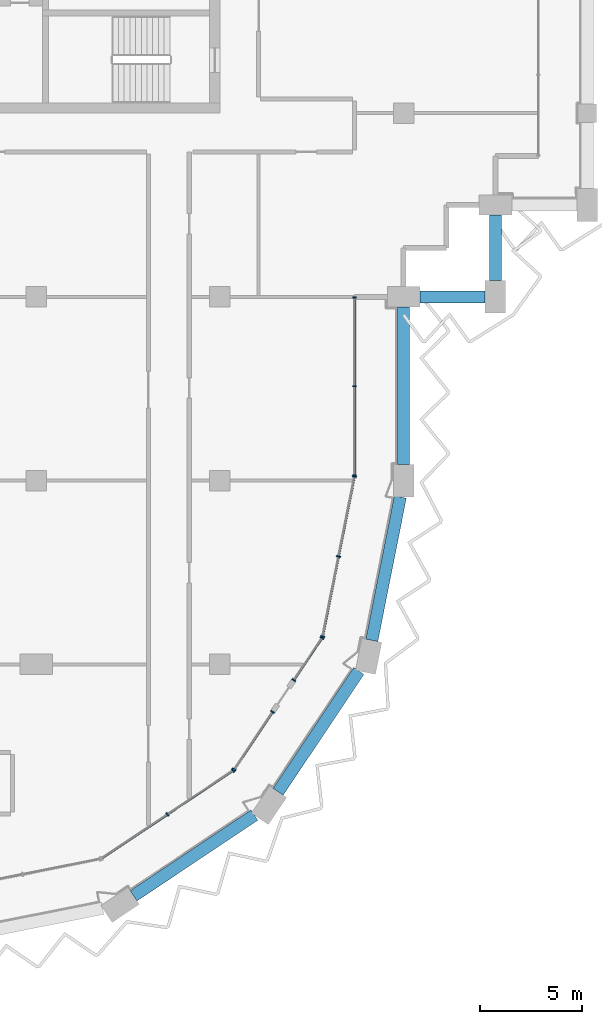
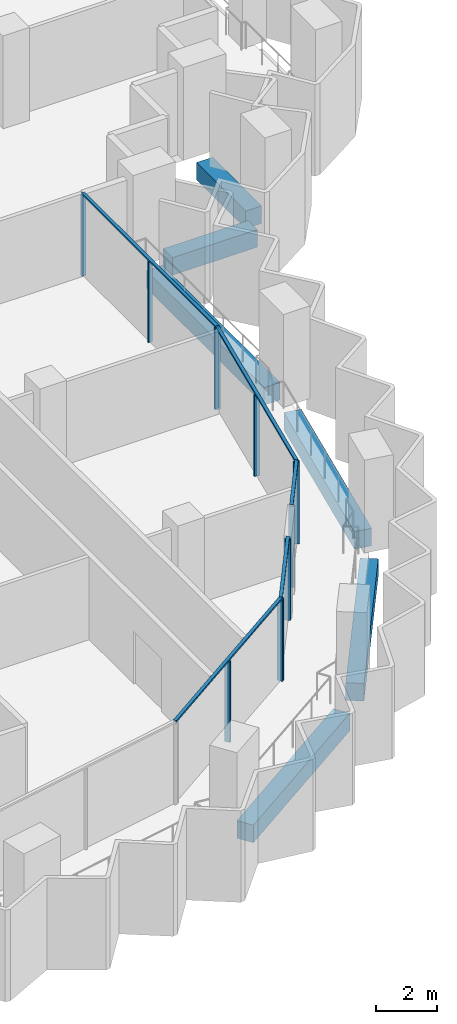
# One storey, part 4 of 17: 17 members, 6 beams, 5 elements without a shape of their own.
"""IFC4 building model written with IfcOpenShell, lengths in metres."""

from ifc_helpers import new_model, si_unit, direction, frame, origin, origin_2d, place, context, subcontext, project, spatial, rectangle, extrude, material, material_profile, profile_set, type_object, element, aggregate, save


model = new_model("IFC4")

# Units and contexts
model_context = context("Model", 3, precision=1e-05, world=origin(), true_north=direction((0.0, 1.0)))
body_context = subcontext(model_context, "Body", "Model", "MODEL_VIEW")
ifc_project = project(units=[si_unit("LENGTHUNIT", "METRE"), si_unit("AREAUNIT", "SQUARE_METRE"), si_unit("VOLUMEUNIT", "CUBIC_METRE"), si_unit("PLANEANGLEUNIT", "RADIAN"), si_unit("MASSUNIT", "GRAM", prefix="KILO")], contexts=[model_context])

# Site, building, storey
site_placement = place(None, origin())
site = spatial("IfcSite", under=ifc_project, at=site_placement, CompositionType="ELEMENT")
building_placement = place(site_placement, origin())
building = spatial("IfcBuilding", under=site, at=building_placement, Name="Hunhe Ridgeline Campus", CompositionType="ELEMENT")
storey_placement = place(building_placement, frame((0.0, 0.0, 268.800048828125)))
storey = spatial("IfcBuildingStorey", under=building, at=storey_placement, Name="L69", CompositionType="ELEMENT", Elevation=268.800048828125)

# Curtain wall, members
ifc_material_1 = material(Name="Aluminium 6063", Category="aluminium")
curtain_wall_type_1 = type_object("IfcCurtainWallType", Name="Curtain wall CW-1", PredefinedType="NOTDEFINED", material=ifc_material_1)
curtain_wall_1_placement = place(storey_placement, origin())
curtain_wall_1 = element("IfcCurtainWall", 1, at=curtain_wall_1_placement, inside=storey, type_object=curtain_wall_type_1, Name="Curtain wall 11", PredefinedType="NOTDEFINED")
ifc_material_profile_1 = material_profile(ifc_material_1, rectangle(XDim=0.159912109375, YDim=0.06005859375, at=origin_2d()))
ifc_profile_set_1 = profile_set([ifc_material_profile_1], Name="Aluminium 6063")
member_type_1 = type_object("IfcMemberType", Name="CW-1 aluminium mullion", PredefinedType="MULLION", material=ifc_profile_set_1)
member_1_placement = place(storey_placement, frame((42.59912109375, 45.266357421875, 0.0), z_axis=(0.0, 0.0, 1.0), x_axis=(-0.999999999814, 1.9283253e-05, 0.0)))
member_1 = element("IfcMember", 2, at=member_1_placement, type_object=member_type_1, Name="CW-1 mullion 1", PredefinedType="MULLION", context=body_context, shape_type="SweptSolid", body=[
    extrude(rectangle(XDim=0.159912109375, YDim=0.06005859375, at=origin_2d()), origin(), (0.0, 0.0, 1.0), 3.239990234375),
])
member_2_placement = place(storey_placement, frame((42.59912109375, 49.618408203125, 0.0), z_axis=(0.0, 0.0, 1.0), x_axis=(-0.999999999814, 1.9283253e-05, 0.0)))
member_2 = element("IfcMember", 3, at=member_2_placement, type_object=member_type_1, Name="CW-1 mullion 2", PredefinedType="MULLION", context=body_context, shape_type="SweptSolid", body=[
    extrude(rectangle(XDim=0.159912109375, YDim=0.06005859375, at=origin_2d()), origin(), (0.0, 0.0, 1.0), 3.239990234375),
])
member_3_placement = place(storey_placement, frame((42.59912109375, 53.970458984375, 0.0), z_axis=(0.0, 0.0, 1.0), x_axis=(-0.999999999814, 1.9283253e-05, 0.0)))
member_3 = element("IfcMember", 4, at=member_3_placement, type_object=member_type_1, Name="CW-1 mullion 3", PredefinedType="MULLION", context=body_context, shape_type="SweptSolid", body=[
    extrude(rectangle(XDim=0.159912109375, YDim=0.06005859375, at=origin_2d()), origin(), (0.0, 0.0, 1.0), 3.239990234375),
])
ifc_material_profile_2 = material_profile(ifc_material_1, rectangle(XDim=0.1201171875, YDim=0.06005859375, at=origin_2d()))
ifc_profile_set_2 = profile_set([ifc_material_profile_2], Name="Aluminium 6063")
member_type_2 = type_object("IfcMemberType", Name="CW-1 aluminium transom", PredefinedType="USERDEFINED", material=ifc_profile_set_2)
member_4_placement = place(storey_placement, frame((42.59912109375, 45.236572265625, 3.27001953125), z_axis=(0.0, 1.0, 0.0), x_axis=(-1.0, 0.0, 0.0)))
member_4 = element("IfcMember", 5, at=member_4_placement, type_object=member_type_2, Name="CW-1 transom 1", ObjectType="TRANSOM", PredefinedType="USERDEFINED", context=body_context, shape_type="SweptSolid", body=[
    extrude(rectangle(XDim=0.1201171875, YDim=0.06005859375, at=origin_2d()), origin(), (0.0, 0.0, 1.0), 8.763916015625),
])
aggregate(curtain_wall_1, [member_4, member_1, member_2, member_3])

curtain_wall_type_2 = type_object("IfcCurtainWallType", Name="Curtain wall CW-5", PredefinedType="NOTDEFINED", material=ifc_material_1)
curtain_wall_2_placement = place(storey_placement, origin())
curtain_wall_2 = element("IfcCurtainWall", 6, at=curtain_wall_2_placement, inside=storey, type_object=curtain_wall_type_2, Name="Curtain wall 07", PredefinedType="NOTDEFINED")
ifc_material_profile_3 = material_profile(ifc_material_1, rectangle(XDim=0.199951171875, YDim=0.070068359375, at=origin_2d()))
ifc_profile_set_3 = profile_set([ifc_material_profile_3], Name="Aluminium 6063")
member_type_3 = type_object("IfcMemberType", Name="CW-5 aluminium mullion", PredefinedType="MULLION", material=ifc_profile_set_3)
member_5_placement = place(storey_placement, frame((33.42626953125, 28.647705078125, 0.0), z_axis=(0.0, 0.0, 1.0), x_axis=(-0.555570274596, 0.831469584522, 0.0)))
member_5 = element("IfcMember", 7, at=member_5_placement, type_object=member_type_3, Name="CW-5 mullion 2", PredefinedType="MULLION", context=body_context, shape_type="SweptSolid", body=[
    extrude(rectangle(XDim=0.199951171875, YDim=0.070068359375, at=origin_2d()), origin(), (0.0, 0.0, 1.0), 3.22998046875),
])
member_6_placement = place(storey_placement, frame((36.649658203125, 30.8017578125, 0.0), z_axis=(0.0, 0.0, 1.0), x_axis=(-0.555570274596, 0.831469584522, 0.0)))
member_6 = element("IfcMember", 8, at=member_6_placement, type_object=member_type_3, Name="CW-5 mullion 3", PredefinedType="MULLION", context=body_context, shape_type="SweptSolid", body=[
    extrude(rectangle(XDim=0.199951171875, YDim=0.070068359375, at=origin_2d()), origin(), (0.0, 0.0, 1.0), 3.22998046875),
])

curtain_wall_3_placement = place(storey_placement, origin())
curtain_wall_3 = element("IfcCurtainWall", 9, at=curtain_wall_3_placement, inside=storey, type_object=curtain_wall_type_2, Name="Curtain wall 08", PredefinedType="NOTDEFINED")
member_7_placement = place(storey_placement, frame((36.6982421875, 30.850341796875, 0.0), z_axis=(0.0, 0.0, 1.0), x_axis=(-0.831469595944, 0.555570257501, 0.0)))
member_7 = element("IfcMember", 10, at=member_7_placement, type_object=member_type_3, Name="CW-5 mullion 1", PredefinedType="MULLION", context=body_context, shape_type="SweptSolid", body=[
    extrude(rectangle(XDim=0.199951171875, YDim=0.070068359375, at=origin_2d()), origin(), (0.0, 0.0, 1.0), 3.22998046875),
])
member_8_placement = place(storey_placement, frame((38.582763671875, 33.67041015625, 0.0), z_axis=(0.0, 0.0, 1.0), x_axis=(-0.831469595944, 0.555570257501, 0.0)))
member_8 = element("IfcMember", 11, at=member_8_placement, type_object=member_type_3, Name="CW-5 mullion 2", PredefinedType="MULLION", context=body_context, shape_type="SweptSolid", body=[
    extrude(rectangle(XDim=0.199951171875, YDim=0.070068359375, at=origin_2d()), origin(), (0.0, 0.0, 1.0), 3.22998046875),
])

curtain_wall_4_placement = place(storey_placement, origin())
curtain_wall_4 = element("IfcCurtainWall", 12, at=curtain_wall_4_placement, inside=storey, type_object=curtain_wall_type_2, Name="Curtain wall 09", PredefinedType="NOTDEFINED")
member_9_placement = place(storey_placement, frame((39.62158203125, 35.225341796875, 0.0), z_axis=(0.0, 0.0, 1.0), x_axis=(-0.831469510353, 0.555570385598, 0.0)))
member_9 = element("IfcMember", 13, at=member_9_placement, type_object=member_type_3, Name="CW-5 mullion 1", PredefinedType="MULLION", context=body_context, shape_type="SweptSolid", body=[
    extrude(rectangle(XDim=0.199951171875, YDim=0.070068359375, at=origin_2d()), origin(), (0.0, 0.0, 1.0), 3.22998046875),
])
member_10_placement = place(storey_placement, frame((41.006103515625, 37.29736328125, 0.0), z_axis=(0.0, 0.0, 1.0), x_axis=(-0.831469510353, 0.555570385598, 0.0)))
member_10 = element("IfcMember", 14, at=member_10_placement, type_object=member_type_3, Name="CW-5 mullion 2", PredefinedType="MULLION", context=body_context, shape_type="SweptSolid", body=[
    extrude(rectangle(XDim=0.199951171875, YDim=0.070068359375, at=origin_2d()), origin(), (0.0, 0.0, 1.0), 3.22998046875),
])

curtain_wall_5_placement = place(storey_placement, origin())
curtain_wall_5 = element("IfcCurtainWall", 15, at=curtain_wall_5_placement, inside=storey, type_object=curtain_wall_type_2, Name="Curtain wall 10", PredefinedType="NOTDEFINED")
member_11_placement = place(storey_placement, frame((41.032470703125, 37.36083984375, 0.0), z_axis=(0.0, 0.0, 1.0), x_axis=(-0.980785284939, 0.195090299215, 0.0)))
member_11 = element("IfcMember", 16, at=member_11_placement, type_object=member_type_3, Name="CW-5 mullion 1", PredefinedType="MULLION", context=body_context, shape_type="SweptSolid", body=[
    extrude(rectangle(XDim=0.199951171875, YDim=0.070068359375, at=origin_2d()), origin(), (0.0, 0.0, 1.0), 3.22998046875),
])
member_12_placement = place(storey_placement, frame((41.812255859375, 41.281494140625, 0.0), z_axis=(0.0, 0.0, 1.0), x_axis=(-0.980785284939, 0.195090299215, 0.0)))
member_12 = element("IfcMember", 17, at=member_12_placement, type_object=member_type_3, Name="CW-5 mullion 2", PredefinedType="MULLION", context=body_context, shape_type="SweptSolid", body=[
    extrude(rectangle(XDim=0.199951171875, YDim=0.070068359375, at=origin_2d()), origin(), (0.0, 0.0, 1.0), 3.22998046875),
])
member_13_placement = place(storey_placement, frame((42.59228515625, 45.2021484375, 0.0), z_axis=(0.0, 0.0, 1.0), x_axis=(-0.980785284939, 0.195090299215, 0.0)))
member_13 = element("IfcMember", 18, at=member_13_placement, type_object=member_type_3, Name="CW-5 mullion 3", PredefinedType="MULLION", context=body_context, shape_type="SweptSolid", body=[
    extrude(rectangle(XDim=0.199951171875, YDim=0.070068359375, at=origin_2d()), origin(), (0.0, 0.0, 1.0), 3.22998046875),
])

# Member
ifc_material_profile_4 = material_profile(ifc_material_1, rectangle(XDim=0.1201171875, YDim=0.070068359375, at=origin_2d()))
ifc_profile_set_4 = profile_set([ifc_material_profile_4], Name="Aluminium 6063")
member_type_4 = type_object("IfcMemberType", Name="CW-5 aluminium transom", PredefinedType="USERDEFINED", material=ifc_profile_set_4)
member_14_placement = place(storey_placement, frame((30.173583984375, 26.474365234375, 3.264892578125), z_axis=(0.831473763475, 0.5555640203, 0.0), x_axis=(-0.5555640203, 0.831473763475, 0.0)))
member_14 = element("IfcMember", 19, at=member_14_placement, type_object=member_type_4, Name="CW-5 transom 1", ObjectType="TRANSOM", PredefinedType="USERDEFINED", context=body_context, shape_type="SweptSolid", body=[
    extrude(rectangle(XDim=0.1201171875, YDim=0.070068359375, at=origin_2d()), origin(), (0.0, 0.0, 1.0), 7.823974609375),
])

aggregate(curtain_wall_2, [member_14, member_5, member_6])

member_15_placement = place(storey_placement, frame((36.678955078125, 30.821044921875, 3.264892578125), z_axis=(0.555546133463, 0.831485714606, 0.0), x_axis=(-0.831485714606, 0.555546133463, 0.0)))
member_15 = element("IfcMember", 20, at=member_15_placement, type_object=member_type_4, Name="CW-5 transom 1", ObjectType="TRANSOM", PredefinedType="USERDEFINED", context=body_context, shape_type="SweptSolid", body=[
    extrude(rectangle(XDim=0.1201171875, YDim=0.070068359375, at=origin_2d()), origin(), (0.0, 0.0, 1.0), 3.462158203125),
])

aggregate(curtain_wall_3, [member_15, member_7, member_8])

member_16_placement = place(storey_placement, frame((39.602294921875, 35.1962890625, 3.264892578125), z_axis=(0.555579547735, 0.831463388334, 0.0), x_axis=(-0.831463388334, 0.555579547735, 0.0)))
member_16 = element("IfcMember", 21, at=member_16_placement, type_object=member_type_4, Name="CW-5 transom 1", ObjectType="TRANSOM", PredefinedType="USERDEFINED", context=body_context, shape_type="SweptSolid", body=[
    extrude(rectangle(XDim=0.1201171875, YDim=0.070068359375, at=origin_2d()), origin(), (0.0, 0.0, 1.0), 2.56201171875),
])

aggregate(curtain_wall_4, [member_16, member_9, member_10])

member_17_placement = place(storey_placement, frame((41.025634765625, 37.326416015625, 3.264892578125), z_axis=(0.195097290093, 0.980783894341, 0.0), x_axis=(-0.980783894341, 0.195097290093, 0.0)))
member_17 = element("IfcMember", 22, at=member_17_placement, type_object=member_type_4, Name="CW-5 transom 1", ObjectType="TRANSOM", PredefinedType="USERDEFINED", context=body_context, shape_type="SweptSolid", body=[
    extrude(rectangle(XDim=0.1201171875, YDim=0.070068359375, at=origin_2d()), origin(), (0.0, 0.0, 1.0), 8.065185546875),
])

aggregate(curtain_wall_5, [member_17, member_11, member_12, member_13])

# Beams
ifc_material_2 = material(Name="Concrete C50", Category="concrete")
ifc_material_profile_5 = material_profile(ifc_material_2, rectangle(XDim=0.60009765625, YDim=0.699951171875, at=origin_2d()))
ifc_profile_set_5 = profile_set([ifc_material_profile_5], Name="Concrete C50")
beam_type = type_object("IfcBeamType", Name="RC spandrel beam 600x700 Concrete C50", PredefinedType="SPANDREL", material=ifc_profile_set_5)
for number, where, z_axis, x_axis, name in (
    (23, (31.775634765625, 24.6572265625, -0.60009765625), (0.831463706344, 0.55557907181, 0.0), (-0.55557907181, 0.831463706344, 0.0), "Spandrel beam B4-6 L69"),
    (24, (38.854248046875, 29.75537109375, -0.60009765625), (0.55557907181, 0.831463706344, 0.0), (-0.831463706344, 0.55557907181, 0.0), "Spandrel beam B4-7 L69"),
):
    element("IfcBeam", number, at=place(storey_placement, frame(where, z_axis=z_axis, x_axis=x_axis)), inside=storey, type_object=beam_type, Name=name, PredefinedType="SPANDREL", context=body_context, shape_type="SweptSolid", body=[
        extrude(rectangle(XDim=0.60009765625, YDim=0.699951171875, at=origin_2d()), origin(), (0.0, 0.0, 1.0), 7.113037109375),
    ])
beam_1_placement = place(storey_placement, frame((43.443359375, 37.17431640625, -0.60009765625), z_axis=(0.195087004291, 0.980785940334, 0.0), x_axis=(-0.980785940334, 0.195087004291, 0.0)))
element("IfcBeam", 25, at=beam_1_placement, inside=storey, type_object=beam_type, Name="Spandrel beam B4-8 L69", PredefinedType="SPANDREL", context=body_context, shape_type="SweptSolid", body=[
    extrude(rectangle(XDim=0.60009765625, YDim=0.699951171875, at=origin_2d()), origin(), (0.0, 0.0, 1.0), 7.163330078125),
])
beam_2_placement = place(storey_placement, frame((45.0, 45.800048828125, -0.60009765625), z_axis=(0.0, 1.0, 0.0), x_axis=(-1.0, 0.0, 0.0)))
element("IfcBeam", 26, at=beam_2_placement, inside=storey, type_object=beam_type, Name="Spandrel beam B4-9 L69", PredefinedType="SPANDREL", context=body_context, shape_type="SweptSolid", body=[
    extrude(rectangle(XDim=0.60009765625, YDim=0.699951171875, at=origin_2d()), origin(), (0.0, 0.0, 1.0), 7.699951171875),
])
for number, where, z_axis, x_axis, name in (
    (27, (45.800048828125, 54.0, -0.60009765625), (1.0, 0.0, 0.0), (0.0, 1.0, 0.0), "Spandrel beam B4-10 L69"),
    (28, (49.5, 54.800048828125, -0.60009765625), (0.0, 1.0, 0.0), (-1.0, 0.0, 0.0), "Spandrel beam B4-11 L69"),
):
    element("IfcBeam", number, at=place(storey_placement, frame(where, z_axis=z_axis, x_axis=x_axis)), inside=storey, type_object=beam_type, Name=name, PredefinedType="SPANDREL", context=body_context, shape_type="SweptSolid", body=[
        extrude(rectangle(XDim=0.60009765625, YDim=0.699951171875, at=origin_2d()), origin(), (0.0, 0.0, 1.0), 3.199951171875),
    ])

save(model, "model.ifc")
